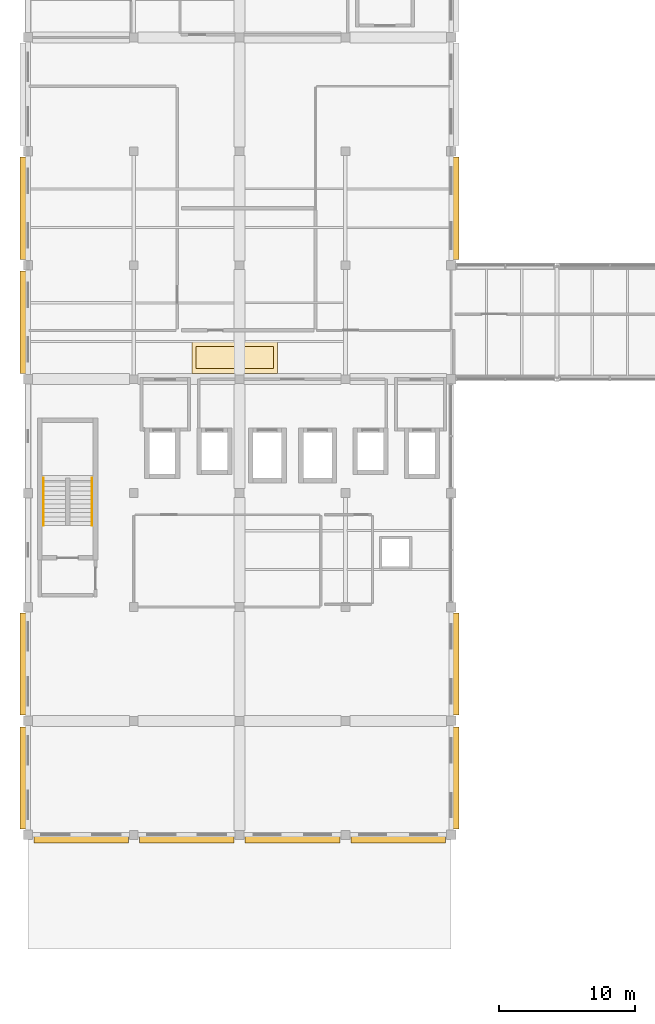
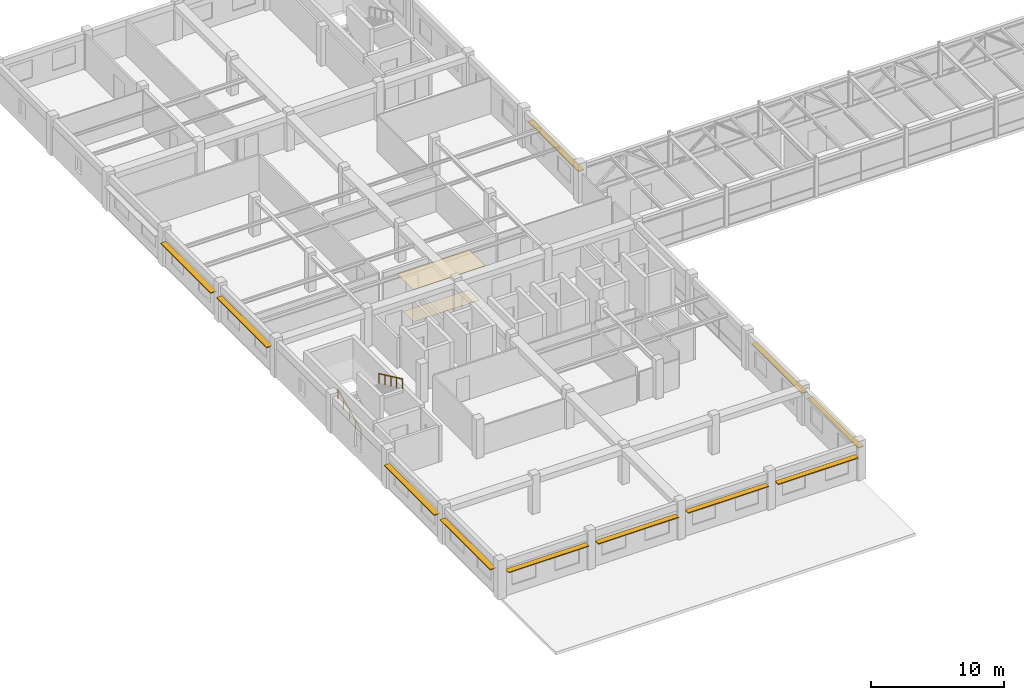
# One storey, part 47 of 49: 11 shading devices, 2 coverings, 2 railings.
"""IFC4 building model written with IfcOpenShell, lengths in metres."""

import ifcopenshell
import ifcopenshell.guid

model = None  # the IFC model being written
_history = None  # IfcOwnerHistory: only IFC2X3 demands one
_inside = {}  # id of a spatial element -> (the spatial element, [elements in it])
_under = {}  # id of a project, library or spatial element -> (it, [spatial elements below it])
_declared = {}  # id of a project -> (the project, [libraries it declares])
_typed = {}  # id of a type object -> (the type object, [elements of that type])
_made_of = {}  # id of a material, layer set ... -> (it, [elements and type objects made of it])


def new_model(schema):
    """Start an empty IFC model of exactly this schema.

    Asked for "IFC4X3", IfcOpenShell would pick the latest addendum, in which some entities
    have other attributes; the version numbers below select the first issue.
    IFC2X3 requires an IfcOwnerHistory on every rooted entity: one is made here for all.
    """
    global model, _history
    if schema == "IFC4X3":
        model = ifcopenshell.file(schema_version=(4, 3, 0, 0))
    else:
        model = ifcopenshell.file(schema=schema)
    _inside.clear()
    _under.clear()
    _declared.clear()
    _typed.clear()
    _made_of.clear()
    _history = None
    if model.schema == "IFC2X3":
        org = make("IfcOrganization", Name="unknown")
        user = make(
            "IfcPersonAndOrganization",
            ThePerson=make("IfcPerson", FamilyName="unknown"),
            TheOrganization=org,
        )
        app = make(
            "IfcApplication",
            ApplicationDeveloper=org,
            Version="unknown",
            ApplicationFullName="unknown",
            ApplicationIdentifier="unknown",
        )
        _history = make(
            "IfcOwnerHistory",
            OwningUser=user,
            OwningApplication=app,
            ChangeAction="ADDED",
            CreationDate=0,
        )
    return model


def make(cls, **values):
    """One entity of the class cls with the attributes given. An attribute that is None is left unset."""
    return model.create_entity(
        cls, **{name: value for name, value in values.items() if value is not None}
    )


def rooted(cls, **values):
    """An entity with a GlobalId (a new one), such as an element, a storey or a relation."""
    return make(cls, GlobalId=ifcopenshell.guid.new(), OwnerHistory=_history, **values)


def si_unit(unit_type, name, prefix=None):
    """IfcSIUnit, for example si_unit("LENGTHUNIT", "METRE", prefix="MILLI")."""
    return make("IfcSIUnit", UnitType=unit_type, Prefix=prefix, Name=name)


def assignment(units):
    """IfcUnitAssignment: the units of a project."""
    return None if units is None else make("IfcUnitAssignment", Units=units)


def point(xyz):
    """IfcCartesianPoint."""
    return None if xyz is None else make("IfcCartesianPoint", Coordinates=xyz)


def direction(xyz):
    """IfcDirection."""
    return None if xyz is None else make("IfcDirection", DirectionRatios=xyz)


def frame(location, z_axis=None, x_axis=None):
    """IfcAxis2Placement3D, a coordinate frame: its origin and axes. An axis left out is left unset."""
    return make(
        "IfcAxis2Placement3D",
        Location=point(location),
        Axis=direction(z_axis),
        RefDirection=direction(x_axis),
    )


def frame_2d(location, x_axis=None):
    """IfcAxis2Placement2D, a coordinate frame in the plane: its origin and x axis."""
    return make(
        "IfcAxis2Placement2D", Location=point(location), RefDirection=direction(x_axis)
    )


def origin():
    """The frame at (0, 0, 0) with its axes left unset."""
    return frame((0.0, 0.0, 0.0))


def origin_2d():
    """The frame at (0, 0) in the plane with its x axis left unset."""
    return frame_2d((0.0, 0.0))


def place(relative_to, where):
    """IfcLocalPlacement: puts the frame where relative to a parent placement (None: the world)."""
    return make(
        "IfcLocalPlacement", PlacementRelTo=relative_to, RelativePlacement=where
    )


def context(
    kind, dimensions, precision=None, world=None, true_north=None, identifier=None
):
    """IfcGeometricRepresentationContext, for example the 3D "Model" context."""
    return make(
        "IfcGeometricRepresentationContext",
        ContextIdentifier=identifier,
        ContextType=kind,
        CoordinateSpaceDimension=dimensions,
        Precision=precision,
        WorldCoordinateSystem=world,
        TrueNorth=true_north,
    )


def subcontext(parent, identifier, kind, view, scale=None):
    """IfcGeometricRepresentationSubContext, for example "Body" below "Model"."""
    return make(
        "IfcGeometricRepresentationSubContext",
        ContextIdentifier=identifier,
        ContextType=kind,
        ParentContext=parent,
        TargetScale=scale,
        TargetView=view,
    )


def project(units=None, contexts=None):
    """IfcProject with its units and contexts."""
    return rooted(
        "IfcProject",
        Name="project",
        RepresentationContexts=contexts,
        UnitsInContext=assignment(units),
    )


def spatial(cls, under=None, at=None, **own):
    """A site, building, storey or space (cls), placed at a placement, below another one or the project."""
    s = rooted(cls, ObjectPlacement=at, **own)
    if under is not None:
        _under.setdefault(under.id(), (under, []))[1].append(s)
    return s


def polyline(points):
    """IfcPolyline through the points."""
    return make("IfcPolyline", Points=[point(p) for p in points])


def profile(cls, at=None, kind="AREA", **sizes):
    """A parametric profile (cls). Its sizes go by their IFC names, for example OverallWidth=200.0."""
    return make(cls, ProfileType=kind, Position=at, **sizes)


def rectangle(**sizes):
    """IfcRectangleProfileDef."""
    return profile("IfcRectangleProfileDef", **sizes)


def circle(**sizes):
    """IfcCircleProfileDef."""
    return profile("IfcCircleProfileDef", **sizes)


def outline(outer, holes=None, kind="AREA"):
    """IfcArbitraryClosedProfileDef: a profile drawn as a closed curve; with holes, ...WithVoids."""
    if holes is None:
        return make("IfcArbitraryClosedProfileDef", ProfileType=kind, OuterCurve=outer)
    return make(
        "IfcArbitraryProfileDefWithVoids",
        ProfileType=kind,
        OuterCurve=outer,
        InnerCurves=holes,
    )


def extrude(swept, where, along, depth):
    """IfcExtrudedAreaSolid: the profile swept, set in the frame where, extruded along a direction by depth."""
    return make(
        "IfcExtrudedAreaSolid",
        SweptArea=swept,
        Position=where,
        ExtrudedDirection=direction(along),
        Depth=depth,
    )


def shape(context_of_items, identifier, shape_type, items):
    """IfcShapeRepresentation: the items that make up one representation, for example the "Body"."""
    return make(
        "IfcShapeRepresentation",
        ContextOfItems=context_of_items,
        RepresentationIdentifier=identifier,
        RepresentationType=shape_type,
        Items=items,
    )


def material(Name=None, Category=None):
    """IfcMaterial."""
    return make("IfcMaterial", Name=Name, Category=Category)


def layer(
    of_material, thickness, ventilated=None, Name=None, Category=None, Priority=None
):
    """IfcMaterialLayer: one layer of a wall or slab, of a material (None: an air gap)."""
    return make(
        "IfcMaterialLayer",
        Material=of_material,
        LayerThickness=thickness,
        IsVentilated=ventilated,
        Name=Name,
        Category=Category,
        Priority=Priority,
    )


def layer_set(layers, Name=None):
    """IfcMaterialLayerSet."""
    return make("IfcMaterialLayerSet", MaterialLayers=layers, LayerSetName=Name)


def made_of(thing, what):
    """Note that an element or type object is made of a material, layer set ...; save() writes the relation."""
    if what is not None:
        _made_of.setdefault(what.id(), (what, []))[1].append(thing)
    return thing


def type_object(cls, material=None, **own):
    """A type object (cls), such as IfcWallType, which elements share."""
    return made_of(rooted(cls, **own), material)


def element(
    cls,
    number,
    at=None,
    inside=None,
    cuts=None,
    type_object=None,
    material=None,
    context=None,
    identifier="Body",
    shape_type=None,
    held_by="IfcProductDefinitionShape",
    body=None,
    shapes=None,
    **own,
):
    """One element of the class cls, such as IfcWall. Its Tag is "e" and its number.

    at: its placement. inside: the storey or other place that contains it. cuts: it is an
    opening in that element (IfcRelVoidsElement). A single representation is given by context,
    identifier, shape_type and body (its items); several are given by shapes. held_by: the class
    of the entity that holds the representations. save() writes the other relations.
    """
    e = rooted(cls, Tag="e%d" % number, ObjectPlacement=at, **own)
    if body is not None:
        shapes = [shape(context, identifier, shape_type, body)]
    if shapes is not None:
        e.Representation = make(held_by, Representations=shapes)
    if inside is not None:
        _inside.setdefault(inside.id(), (inside, []))[1].append(e)
    if cuts is not None:
        rooted(
            "IfcRelVoidsElement", RelatingBuildingElement=cuts, RelatedOpeningElement=e
        )
    if type_object is not None:
        _typed.setdefault(type_object.id(), (type_object, []))[1].append(e)
    return made_of(e, material)


def aggregate(whole, parts):
    """IfcRelAggregates: a whole, such as a stair, and the parts it consists of."""
    return rooted("IfcRelAggregates", RelatingObject=whole, RelatedObjects=parts)


def save(model, path):
    """Write the relations noted so far, then the file.

    IfcRelAggregates (storeys below a building ...), IfcRelContainedInSpatialStructure (elements
    in a storey), IfcRelDefinesByType, IfcRelAssociatesMaterial and IfcRelDeclares: one each for
    every whole, place, type object, material and project.
    """
    for whole, parts in _under.values():
        aggregate(whole, parts)
    for where, things in _inside.values():
        rooted(
            "IfcRelContainedInSpatialStructure",
            RelatedElements=things,
            RelatingStructure=where,
        )
    for kind, things in _typed.values():
        rooted("IfcRelDefinesByType", RelatedObjects=things, RelatingType=kind)
    for what, things in _made_of.values():
        rooted("IfcRelAssociatesMaterial", RelatedObjects=things, RelatingMaterial=what)
    for by, libraries in _declared.values():
        rooted("IfcRelDeclares", RelatingContext=by, RelatedDefinitions=libraries)
    model.write(path)


model = new_model("IFC4")

# Units and contexts
model_context = context("Model", 3, precision=1e-05, world=origin(), true_north=direction((0.0, 1.0)))
body_context = subcontext(model_context, "Body", "Model", "MODEL_VIEW")
ifc_project = project(units=[si_unit("LENGTHUNIT", "METRE"), si_unit("AREAUNIT", "SQUARE_METRE"), si_unit("VOLUMEUNIT", "CUBIC_METRE"), si_unit("PLANEANGLEUNIT", "RADIAN"), si_unit("MASSUNIT", "GRAM", prefix="KILO"), si_unit("THERMODYNAMICTEMPERATUREUNIT", "KELVIN"), si_unit("POWERUNIT", "WATT")], contexts=[model_context])

# Site, building, storey
site_placement = place(None, origin())
site = spatial("IfcSite", under=ifc_project, at=site_placement, CompositionType="ELEMENT")
building_placement = place(site_placement, origin())
building = spatial("IfcBuilding", under=site, at=building_placement, Name="Srebrne Nadtorze General Hospital", CompositionType="ELEMENT")
storey_placement = place(building_placement, frame((0.0, 0.0, 26.10009765625)))
storey = spatial("IfcBuildingStorey", under=building, at=storey_placement, Name="L06", CompositionType="ELEMENT", Elevation=26.10009765625)

# Covering
ifc_material_1 = material(Name="Medical Vinyl Flooring")
ifc_layer_1 = layer(ifc_material_1, 0.006103515625)
ifc_layer_set_1 = layer_set([ifc_layer_1], Name="Medical Vinyl Flooring")
covering_type_1 = type_object("IfcCoveringType", Name="Antistatic medical vinyl flooring", PredefinedType="FLOORING", material=ifc_layer_set_1)
covering_1_placement = place(storey_placement, origin())
element("IfcCovering", 1, at=covering_1_placement, inside=storey, type_object=covering_type_1, Name="Medical vinyl flooring L06", PredefinedType="FLOORING", context=body_context, shape_type="SweptSolid", body=[
    extrude(outline(polyline([(35.800048828125, 51.199951171875), (41.5, 51.199951171875), (41.5, 52.800048828125), (35.800048828125, 52.800048828125), (35.800048828125, 51.199951171875)])), origin(), (0.0, 0.0, 1.0), 0.005859375),
])

# Shading devices
ifc_material_2 = material(Name="Anodised Aluminium", Category="aluminium")
ifc_layer_2 = layer(ifc_material_2, 0.080078125)
ifc_layer_set_2 = layer_set([ifc_layer_2], Name="Anodised Aluminium")
shading_device_type = type_object("IfcShadingDeviceType", Name="Hisashi horizontal aluminium sunshade", PredefinedType="JALOUSIE", material=ifc_layer_set_2)
shading_device_1_placement = place(storey_placement, frame((27.3125, 16.449951171875, 2.369873046875), z_axis=(0.0, 0.0, 1.0), x_axis=(1.0, 0.0, 0.0)))
element("IfcShadingDevice", 2, at=shading_device_1_placement, inside=storey, type_object=shading_device_type, Name="Hisashi horizontal sunshade eave LV-353", PredefinedType="JALOUSIE", context=body_context, shape_type="SweptSolid", body=[
    extrude(rectangle(XDim=6.965087890625, YDim=0.47998046875, at=origin_2d()), origin(), (0.0, 0.0, 1.0), 0.080078125),
])
for number, where, z_axis, x_axis, name in (
    (3, (35.10009765625, 16.449951171875, 2.269775390625), (0.0, 0.0, 1.0), (1.0, 0.0, 0.0), "Hisashi horizontal sunshade eave LV-354"),
    (4, (42.89990234375, 16.449951171875, 2.369873046875), (0.0, 0.0, 1.0), (1.0, 0.0, 0.0), "Hisashi horizontal sunshade eave LV-355"),
):
    element("IfcShadingDevice", number, at=place(storey_placement, frame(where, z_axis=z_axis, x_axis=x_axis)), inside=storey, type_object=shading_device_type, Name=name, PredefinedType="JALOUSIE", context=body_context, shape_type="SweptSolid", body=[
        extrude(rectangle(XDim=6.989990234375, YDim=0.47998046875, at=origin_2d()), origin(), (0.0, 0.0, 1.0), 0.080078125),
    ])
shading_device_2_placement = place(storey_placement, frame((50.6875, 16.449951171875, 2.269775390625), z_axis=(0.0, 0.0, 1.0), x_axis=(1.0, 0.0, 0.0)))
element("IfcShadingDevice", 5, at=shading_device_2_placement, inside=storey, type_object=shading_device_type, Name="Hisashi horizontal sunshade eave LV-356", PredefinedType="JALOUSIE", context=body_context, shape_type="SweptSolid", body=[
    extrude(rectangle(XDim=6.965087890625, YDim=0.47998046875, at=origin_2d()), origin(), (0.0, 0.0, 1.0), 0.080078125),
])
for number, where, z_axis, x_axis, name in (
    (6, (23.050048828125, 21.0, 2.369873046875), (0.0, 0.0, 1.0), (1.0, 0.0, 0.0), "Hisashi horizontal sunshade eave LV-371"),
    (7, (23.050048828125, 29.39990234375, 2.269775390625), (0.0, 0.0, 1.0), (1.0, 0.0, 0.0), "Hisashi horizontal sunshade eave LV-372"),
    (8, (23.050048828125, 54.60009765625, 2.369873046875), (0.0, 0.0, 1.0), (1.0, 0.0, 0.0), "Hisashi horizontal sunshade eave LV-373"),
    (9, (23.050048828125, 63.0, 2.269775390625), (0.0, 0.0, 1.0), (1.0, 0.0, 0.0), "Hisashi horizontal sunshade eave LV-374"),
    (10, (54.949951171875, 21.0, 2.369873046875), (0.0, 0.0, 1.0), (1.0, 0.0, 0.0), "Hisashi horizontal sunshade eave LV-376"),
    (11, (54.949951171875, 29.39990234375, 2.269775390625), (0.0, 0.0, 1.0), (1.0, 0.0, 0.0), "Hisashi horizontal sunshade eave LV-377"),
    (12, (54.949951171875, 63.0, 2.269775390625), (0.0, 0.0, 1.0), (1.0, 0.0, 0.0), "Hisashi horizontal sunshade eave LV-378"),
):
    element("IfcShadingDevice", number, at=place(storey_placement, frame(where, z_axis=z_axis, x_axis=x_axis)), inside=storey, type_object=shading_device_type, Name=name, PredefinedType="JALOUSIE", context=body_context, shape_type="SweptSolid", body=[
        extrude(rectangle(XDim=0.47998046875, YDim=7.5400390625, at=origin_2d()), origin(), (0.0, 0.0, 1.0), 0.080078125),
    ])

# Covering
ifc_material_3 = material(Name="Acoustic Mineral Ceiling")
ifc_layer_3 = layer(ifc_material_3, 0.014892578125)
ifc_layer_set_3 = layer_set([ifc_layer_3], Name="Acoustic Mineral Ceiling")
covering_type_2 = type_object("IfcCoveringType", Name="Hygienic acoustic ceiling tile", PredefinedType="CEILING", material=ifc_layer_set_3)
covering_2_placement = place(storey_placement, frame((0.0, 0.0, 3.284912109375)))
element("IfcCovering", 13, at=covering_2_placement, inside=storey, type_object=covering_type_2, Name="Acoustic ceiling L06", PredefinedType="CEILING", context=body_context, shape_type="SweptSolid", body=[
    extrude(outline(polyline([(35.5, 50.800048828125), (41.800048828125, 50.800048828125), (41.800048828125, 53.199951171875), (35.5, 53.199951171875), (35.5, 50.800048828125)])), origin(), (0.0, 0.0, 1.0), 0.014892578125),
])

# Railings
ifc_material_4 = material(Name="Stainless Steel 316", Category="steel")
railing_type = type_object("IfcRailingType", Name="Tubular stainless handrail 920", PredefinedType="HANDRAIL", material=ifc_material_4)
railing_1_placement = place(storey_placement, frame((24.530029296875, 39.60009765625, 0.14990234375)))
element("IfcRailing", 14, at=railing_1_placement, inside=storey, type_object=railing_type, Name="Stair flight handrail ST-01-L06 F1", PredefinedType="HANDRAIL", context=body_context, shape_type="SweptSolid", body=[
    extrude(circle(Radius=0.02392578125, at=origin_2d()), frame((0.0, 0.0, 0.89599609375), z_axis=(0.0, 0.905469494748, 0.424411350084), x_axis=(-1.0, 0.0, 0.0)), (0.0, 0.0, 1.0), 3.887451171875),
    extrude(circle(Radius=0.02099609375, at=origin_2d()), origin(), (0.0, 0.0, 1.0), 0.871826171875),
    extrude(circle(Radius=0.02099609375, at=origin_2d()), frame((0.0, 0.8798828125, 0.41259765625)), (0.0, 0.0, 1.0), 0.871826171875),
    extrude(circle(Radius=0.02099609375, at=origin_2d()), frame((0.0, 1.760009765625, 0.824951171875)), (0.0, 0.0, 1.0), 0.871826171875),
    extrude(circle(Radius=0.02099609375, at=origin_2d()), frame((0.0, 2.64013671875, 1.2373046875)), (0.0, 0.0, 1.0), 0.871826171875),
    extrude(circle(Radius=0.02099609375, at=origin_2d()), frame((0.0, 3.52001953125, 1.64990234375)), (0.0, 0.0, 1.0), 0.871826171875),
])
railing_2_placement = place(storey_placement, frame((28.1201171875, 43.1201171875, 1.949951171875)))
element("IfcRailing", 15, at=railing_2_placement, inside=storey, type_object=railing_type, Name="Stair flight handrail ST-01-L06 F2", PredefinedType="HANDRAIL", context=body_context, shape_type="SweptSolid", body=[
    extrude(circle(Radius=0.02392578125, at=origin_2d()), frame((0.0, 0.0, 0.89599609375), z_axis=(0.0, -0.905469494748, 0.424411350084), x_axis=(1.0, 0.0, 0.0)), (0.0, 0.0, 1.0), 3.887451171875),
    extrude(circle(Radius=0.02099609375, at=origin_2d()), origin(), (0.0, 0.0, 1.0), 0.871826171875),
    extrude(circle(Radius=0.02099609375, at=origin_2d()), frame((0.0, -0.8798828125, 0.41259765625)), (0.0, 0.0, 1.0), 0.871826171875),
    extrude(circle(Radius=0.02099609375, at=origin_2d()), frame((0.0, -1.760009765625, 0.824951171875)), (0.0, 0.0, 1.0), 0.871826171875),
    extrude(circle(Radius=0.02099609375, at=origin_2d()), frame((0.0, -2.64013671875, 1.2373046875)), (0.0, 0.0, 1.0), 0.871826171875),
    extrude(circle(Radius=0.02099609375, at=origin_2d()), frame((0.0, -3.52001953125, 1.64990234375)), (0.0, 0.0, 1.0), 0.871826171875),
])

save(model, "model.ifc")
